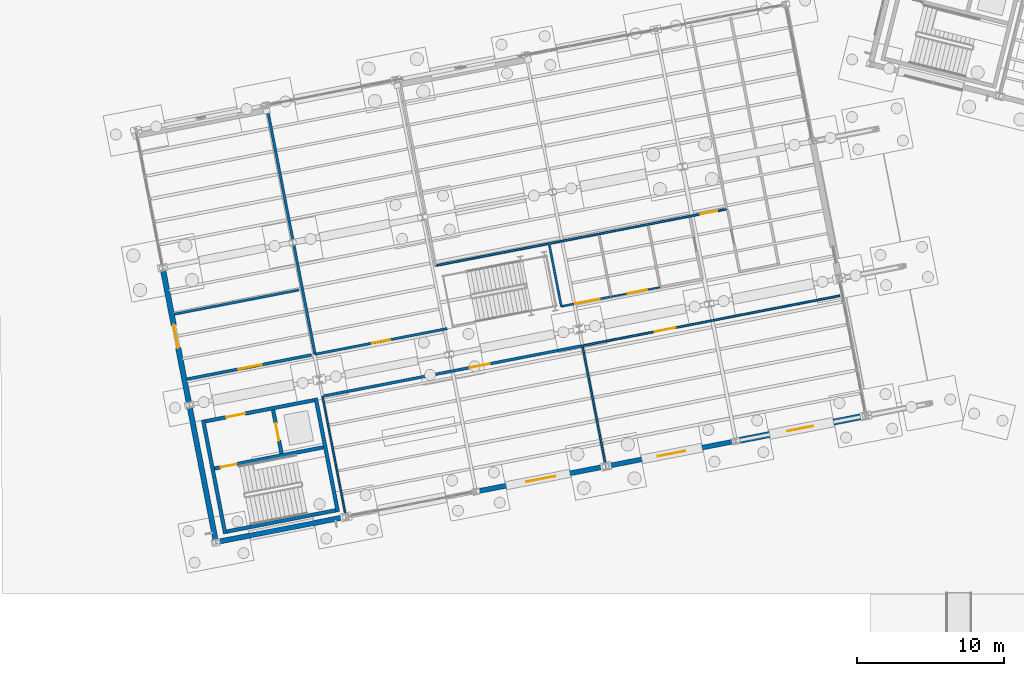
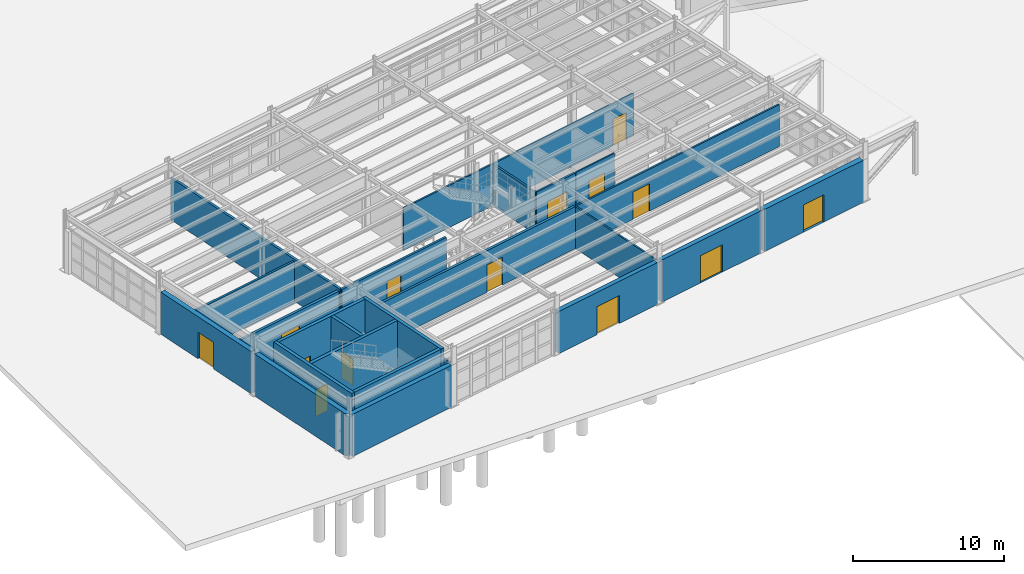
# One storey, part 84 of 108: 24 walls, 14 doors, 14 openings.
"""IFC4 building model written with IfcOpenShell, lengths in metres."""

from ifc_helpers import new_model, si_unit, direction, frame, frame_2d, origin, origin_with_axes, place, context, subcontext, project, spatial, rectangle, extrude, material, layer, layer_set, type_object, element, fill, save


model = new_model("IFC4")

# Units and contexts
model_context = context("Model", 3, precision=1e-05, world=origin(), true_north=direction((0.0, 1.0)))
body_context = subcontext(model_context, "Body", "Model", "MODEL_VIEW")
ifc_project = project(units=[si_unit("LENGTHUNIT", "METRE"), si_unit("AREAUNIT", "SQUARE_METRE"), si_unit("VOLUMEUNIT", "CUBIC_METRE"), si_unit("PLANEANGLEUNIT", "RADIAN"), si_unit("MASSUNIT", "GRAM", prefix="KILO")], contexts=[model_context])

# Site, building, storey
site_placement = place(None, origin())
site = spatial("IfcSite", under=ifc_project, at=site_placement, CompositionType="ELEMENT")
building_placement = place(site_placement, origin())
building = spatial("IfcBuilding", under=site, at=building_placement, Name="Vireo Bluff Cable Station", CompositionType="ELEMENT")
storey_placement = place(building_placement, origin())
storey = spatial("IfcBuildingStorey", under=building, at=storey_placement, Name="L00", CompositionType="ELEMENT", Elevation=0.0)

# Wall, opening, door
ifc_material_1 = material(Name="Precast concrete f'c 45 MPa", Category="concrete")
ifc_layer_1 = layer(ifc_material_1, 0.330078125, Name="Precast concrete f'c 45 MPa")
ifc_layer_set_1 = layer_set([ifc_layer_1], Name="Precast concrete f'c 45 MPa")
wall_type_1 = type_object("IfcWallType", Name="EW-PRECAST-330", PredefinedType="SOLIDWALL", material=ifc_layer_set_1)
wall_1_placement = place(storey_placement, frame((44.71044921875, 12.34423828125, 0.0), z_axis=(0.0, 0.0, 1.0), x_axis=(-0.98162594361, -0.19081537368, 0.0)))
wall_1 = element("IfcWall", 1, at=wall_1_placement, inside=storey, type_object=wall_type_1, Name="V5 L00 south exterior wall 90", PredefinedType="SOLIDWALL", context=body_context, shape_type="SweptSolid", body=[
    extrude(rectangle(XDim=8.6669921875, YDim=0.330078125, at=frame_2d((4.33349609375, 0.0))), origin(), (0.0, 0.0, 1.0), 3.39990234375),
])
opening_1_placement = place(wall_1_placement, frame((3.383544921875, 0.0, 0.0)))
opening_1 = element("IfcOpeningElement", 2, at=opening_1_placement, cuts=wall_1, Name="Opening ED-007", PredefinedType="OPENING", context=body_context, shape_type="SweptSolid", body=[
    extrude(rectangle(XDim=1.89990234375, YDim=2.199951171875, at=frame_2d((0.949951171875, 1.10009765625))), frame((0.0, 0.175048828125, 0.0), z_axis=(0.0, -1.0, 0.0), x_axis=(1.0, 0.0, 0.0)), (0.0, 0.0, 1.0), 0.35009765625),
])
ifc_material_2 = material(Name="Anodized Aluminium 6063-T6", Category="aluminium")
door_type_1 = type_object("IfcDoorType", Name="EDOOR-1900X2200", OperationType="NOTDEFINED", PredefinedType="DOOR", material=ifc_material_2)
door_1_placement = place(opening_1_placement, origin_with_axes())
door_1 = element("IfcDoor", 3, at=door_1_placement, inside=storey, type_object=door_type_1, Name="V5 L00 plaza exit door ED-007", OperationType="DOUBLE_DOOR_SINGLE_SWING", OverallHeight=2.199951171875, OverallWidth=1.89990234375, PredefinedType="DOOR", context=body_context, shape_type="SweptSolid", body=[
    extrude(rectangle(XDim=1.89990234375, YDim=2.199951171875, at=frame_2d((0.949951171875, 1.10009765625))), frame((0.0, 0.02490234375, 0.0), z_axis=(0.0, -1.0, 0.0), x_axis=(1.0, 0.0, 0.0)), (0.0, 0.0, 1.0), 0.050048828125),
])
fill(opening_1, door_1)

ifc_layer_2 = layer(ifc_material_1, 0.340087890625, Name="Precast concrete f'c 45 MPa")
ifc_layer_set_2 = layer_set([ifc_layer_2], Name="Precast concrete f'c 45 MPa")
wall_type_2 = type_object("IfcWallType", Name="EW-PRECAST-340", PredefinedType="SOLIDWALL", material=ifc_layer_set_2)
wall_2_placement = place(storey_placement, frame((35.80517578125, 10.61328125, 0.0), z_axis=(0.0, 0.0, 1.0), x_axis=(-0.981624261177, -0.190824028542, 0.0)))
wall_2 = element("IfcWall", 4, at=wall_2_placement, inside=storey, type_object=wall_type_2, Name="V5 L00 south exterior wall 91", PredefinedType="SOLIDWALL", context=body_context, shape_type="SweptSolid", body=[
    extrude(rectangle(XDim=8.592529296875, YDim=0.340087890625, at=frame_2d((4.29638671875, 0.0))), origin(), (0.0, 0.0, 1.0), 3.39990234375),
])
opening_2_placement = place(wall_2_placement, frame((3.296142578125, 0.0, 0.0)))
opening_2 = element("IfcOpeningElement", 5, at=opening_2_placement, cuts=wall_2, Name="Opening ED-008", PredefinedType="OPENING", context=body_context, shape_type="SweptSolid", body=[
    extrude(rectangle(XDim=2.0, YDim=2.25, at=frame_2d((1.0, 1.125))), frame((0.0, 0.18017578125, 0.0), z_axis=(0.0, -1.0, 0.0), x_axis=(1.0, 0.0, 0.0)), (0.0, 0.0, 1.0), 0.360107421875),
])
door_type_2 = type_object("IfcDoorType", Name="EDOOR-2000X2250", OperationType="NOTDEFINED", PredefinedType="DOOR", material=ifc_material_2)
door_2_placement = place(opening_2_placement, origin_with_axes())
door_2 = element("IfcDoor", 6, at=door_2_placement, inside=storey, type_object=door_type_2, Name="V5 L00 plaza exit door ED-008", OperationType="DOUBLE_DOOR_SINGLE_SWING", OverallHeight=2.25, OverallWidth=2.0, PredefinedType="DOOR", context=body_context, shape_type="SweptSolid", body=[
    extrude(rectangle(XDim=2.0, YDim=2.25, at=frame_2d((1.0, 1.125))), frame((0.0, 0.02490234375, 0.0), z_axis=(0.0, -1.0, 0.0), x_axis=(1.0, 0.0, 0.0)), (0.0, 0.0, 1.0), 0.050048828125),
])
fill(opening_2, door_2)

# Walls
ifc_layer_3 = layer(ifc_material_1, 0.35009765625, Name="Precast concrete f'c 45 MPa")
ifc_layer_set_3 = layer_set([ifc_layer_3], Name="Precast concrete f'c 45 MPa")
wall_type_3 = type_object("IfcWallType", Name="EW-PRECAST-350", PredefinedType="SOLIDWALL", material=ifc_layer_set_3)
wall_3_placement = place(storey_placement, frame((18.135986328125, 7.1787109375, 0.0), z_axis=(0.0, 0.0, 1.0), x_axis=(-0.981624888491, -0.190820801525, 0.0)))
element("IfcWall", 7, at=wall_3_placement, inside=storey, type_object=wall_type_3, Name="V5 L00 south exterior wall 92", PredefinedType="SOLIDWALL", context=body_context, shape_type="SweptSolid", body=[
    extrude(rectangle(XDim=8.693603515625, YDim=0.35009765625, at=frame_2d((4.3466796875, 0.0))), origin(), (0.0, 0.0, 1.0), 3.39990234375),
])
ifc_layer_4 = layer(ifc_material_1, 0.360107421875, Name="Precast concrete f'c 45 MPa")
ifc_layer_set_4 = layer_set([ifc_layer_4], Name="Precast concrete f'c 45 MPa")
wall_type_4 = type_object("IfcWallType", Name="EW-PRECAST-360", PredefinedType="SOLIDWALL", material=ifc_layer_set_4)
wall_4_placement = place(storey_placement, frame((9.47509765625, 5.628173828125, 0.0), z_axis=(0.0, 0.0, 1.0), x_axis=(-0.190802658427, 0.981628415205, 0.0)))
element("IfcWall", 8, at=wall_4_placement, inside=storey, type_object=wall_type_4, Name="V5 L00 west exterior wall 93", PredefinedType="SOLIDWALL", context=body_context, shape_type="SweptSolid", body=[
    extrude(rectangle(XDim=9.16796875, YDim=0.360107421875, at=frame_2d((4.583984375, 0.0))), origin(), (0.0, 0.0, 1.0), 3.39990234375),
])

# Wall, opening, door
ifc_layer_5 = layer(ifc_material_1, 0.3701171875, Name="Precast concrete f'c 45 MPa")
ifc_layer_set_5 = layer_set([ifc_layer_5], Name="Precast concrete f'c 45 MPa")
wall_type_5 = type_object("IfcWallType", Name="EW-PRECAST-370", PredefinedType="SOLIDWALL", material=ifc_layer_set_5)
wall_5_placement = place(storey_placement, frame((7.64892578125, 15.023193359375, 0.0), z_axis=(0.0, 0.0, 1.0), x_axis=(-0.190812855541, 0.9816264331, 0.0)))
wall_5 = element("IfcWall", 9, at=wall_5_placement, inside=storey, type_object=wall_type_5, Name="V5 L00 west exterior wall 94", PredefinedType="SOLIDWALL", context=body_context, shape_type="SweptSolid", body=[
    extrude(rectangle(XDim=9.088134765625, YDim=0.3701171875, at=frame_2d((4.5439453125, 0.0))), origin(), (0.0, 0.0, 1.0), 3.39990234375),
])
opening_3_placement = place(wall_5_placement, frame((3.743896484375, 0.0, 0.0)))
opening_3 = element("IfcOpeningElement", 10, at=opening_3_placement, cuts=wall_5, Name="Opening ED-009", PredefinedType="OPENING", context=body_context, shape_type="SweptSolid", body=[
    extrude(rectangle(XDim=1.60009765625, YDim=2.14990234375, at=frame_2d((0.800048828125, 1.074951171875))), frame((0.0, 0.195068359375, 0.0), z_axis=(0.0, -1.0, 0.0), x_axis=(1.0, 0.0, 0.0)), (0.0, 0.0, 1.0), 0.39013671875),
])
door_type_3 = type_object("IfcDoorType", Name="EDOOR-1600X2150", OperationType="NOTDEFINED", PredefinedType="DOOR", material=ifc_material_2)
door_3_placement = place(opening_3_placement, origin_with_axes())
door_3 = element("IfcDoor", 11, at=door_3_placement, inside=storey, type_object=door_type_3, Name="V5 L00 plaza exit door ED-009", OperationType="DOUBLE_DOOR_SINGLE_SWING", OverallHeight=2.14990234375, OverallWidth=1.60009765625, PredefinedType="DOOR", context=body_context, shape_type="SweptSolid", body=[
    extrude(rectangle(XDim=1.60009765625, YDim=2.14990234375, at=frame_2d((0.800048828125, 1.074951171875))), frame((0.0, 0.02490234375, 0.0), z_axis=(0.0, -1.0, 0.0), x_axis=(1.0, 0.0, 0.0)), (0.0, 0.0, 1.0), 0.050048828125),
])
fill(opening_3, door_3)

ifc_layer_6 = layer(ifc_material_1, 0.419921875, Name="Precast concrete f'c 45 MPa")
ifc_layer_set_6 = layer_set([ifc_layer_6], Name="Precast concrete f'c 45 MPa")
wall_type_6 = type_object("IfcWallType", Name="EW-PRECAST-420", PredefinedType="SOLIDWALL", material=ifc_layer_set_6)
wall_6_placement = place(storey_placement, frame((53.471923828125, 14.04736328125, 0.0), z_axis=(0.0, 0.0, 1.0), x_axis=(-0.981625213887, -0.190819127607, 0.0)))
wall_6 = element("IfcWall", 12, at=wall_6_placement, inside=storey, type_object=wall_type_6, Name="V5 L00 south exterior wall 89", PredefinedType="SOLIDWALL", context=body_context, shape_type="SweptSolid", body=[
    extrude(rectangle(XDim=8.664306640625, YDim=0.419921875, at=frame_2d((4.33203125, 0.0))), origin(), (0.0, 0.0, 1.0), 3.39990234375),
])
opening_4_placement = place(wall_6_placement, frame((3.432373046875, 0.0, 0.0)))
opening_4 = element("IfcOpeningElement", 13, at=opening_4_placement, cuts=wall_6, Name="Opening ED-006", PredefinedType="OPENING", context=body_context, shape_type="SweptSolid", body=[
    extrude(rectangle(XDim=1.800048828125, YDim=2.199951171875, at=frame_2d((0.89990234375, 1.10009765625))), frame((0.0, 0.219970703125, 0.0), z_axis=(0.0, -1.0, 0.0), x_axis=(1.0, 0.0, 0.0)), (0.0, 0.0, 1.0), 0.43994140625),
])
door_type_4 = type_object("IfcDoorType", Name="EDOOR-1800X2200", OperationType="NOTDEFINED", PredefinedType="DOOR", material=ifc_material_2)
door_4_placement = place(opening_4_placement, origin_with_axes())
door_4 = element("IfcDoor", 14, at=door_4_placement, inside=storey, type_object=door_type_4, Name="V5 L00 plaza exit door ED-006", OperationType="DOUBLE_DOOR_SINGLE_SWING", OverallHeight=2.199951171875, OverallWidth=1.800048828125, PredefinedType="DOOR", context=body_context, shape_type="SweptSolid", body=[
    extrude(rectangle(XDim=1.800048828125, YDim=2.199951171875, at=frame_2d((0.89990234375, 1.10009765625))), frame((0.0, 0.02490234375, 0.0), z_axis=(0.0, -1.0, 0.0), x_axis=(1.0, 0.0, 0.0)), (0.0, 0.0, 1.0), 0.050048828125),
])
fill(opening_4, door_4)

# Wall
ifc_material_3 = material(Name="Fire-Rated Gypsum Board Partition")
ifc_layer_7 = layer(ifc_material_3, 0.110107421875, Name="Fire-Rated Gypsum Board Partition")
ifc_layer_set_7 = layer_set([ifc_layer_7], Name="Fire-Rated Gypsum Board Partition")
wall_type_7 = type_object("IfcWallType", Name="PT-1HR-110", PredefinedType="PARTITIONING", material=ifc_layer_set_7)
wall_7_placement = place(storey_placement, frame((18.30224609375, 7.38427734375, 0.0), z_axis=(0.0, 0.0, 1.0), x_axis=(-0.190809743504, 0.981627038026, 0.0)))
element("IfcWall", 15, at=wall_7_placement, inside=storey, type_object=wall_type_7, Name="V5 L00 Ticket Hall W partition", PredefinedType="PARTITIONING", context=body_context, shape_type="SweptSolid", body=[
    extrude(rectangle(XDim=8.179931640625, YDim=0.110107421875, at=frame_2d((4.08984375, 0.0))), origin(), (0.0, 0.0, 1.0), 3.3798828125),
])

# Wall, opening, door
wall_8_placement = place(storey_placement, frame((39.697998046875, 22.83056640625, 0.0), z_axis=(0.0, 0.0, 1.0), x_axis=(-0.981616137106, -0.190865815101, 0.0)))
wall_8 = element("IfcWall", 16, at=wall_8_placement, inside=storey, type_object=wall_type_7, Name="V5 L00 Female WC L00 S partition", PredefinedType="PARTITIONING", context=body_context, shape_type="SweptSolid", body=[
    extrude(rectangle(XDim=3.39990234375, YDim=0.110107421875, at=frame_2d((1.699951171875, 0.0))), origin(), (0.0, 0.0, 1.0), 3.3798828125),
])
opening_5_placement = place(wall_8_placement, frame((0.886962890625, 0.0, 0.0)))
opening_5 = element("IfcOpeningElement", 17, at=opening_5_placement, cuts=wall_8, Name="Opening D-0107", PredefinedType="OPENING", context=body_context, shape_type="SweptSolid", body=[
    extrude(rectangle(XDim=1.35009765625, YDim=2.199951171875, at=frame_2d((0.675048828125, 1.10009765625))), frame((0.0, 0.06494140625, 0.0), z_axis=(0.0, -1.0, 0.0), x_axis=(1.0, 0.0, 0.0)), (0.0, 0.0, 1.0), 0.130126953125),
])
door_type_5 = type_object("IfcDoorType", Name="IDOOR60-1350X2200", OperationType="NOTDEFINED", PredefinedType="DOOR", material=ifc_material_2)
door_5_placement = place(opening_5_placement, origin_with_axes())
door_5 = element("IfcDoor", 18, at=door_5_placement, inside=storey, type_object=door_type_5, Name="V5 L00 Female WC L00 door D-0107", OperationType="SINGLE_SWING_RIGHT", OverallHeight=2.199951171875, OverallWidth=1.35009765625, PredefinedType="DOOR", context=body_context, shape_type="SweptSolid", body=[
    extrude(rectangle(XDim=1.35009765625, YDim=2.199951171875, at=frame_2d((0.675048828125, 1.10009765625))), frame((0.0, 0.02490234375, 0.0), z_axis=(0.0, -1.0, 0.0), x_axis=(1.0, 0.0, 0.0)), (0.0, 0.0, 1.0), 0.050048828125),
])
fill(opening_5, door_5)

# Wall
ifc_layer_8 = layer(ifc_material_3, 0.1201171875, Name="Fire-Rated Gypsum Board Partition")
ifc_layer_set_8 = layer_set([ifc_layer_8], Name="Fire-Rated Gypsum Board Partition")
wall_type_8 = type_object("IfcWallType", Name="PT-1HR-120", PredefinedType="PARTITIONING", material=ifc_layer_set_8)
wall_9_placement = place(storey_placement, frame((34.41064453125, 18.848388671875, 0.0), z_axis=(0.0, 0.0, 1.0), x_axis=(0.190804153264, -0.981628124647, 0.0)))
element("IfcWall", 19, at=wall_9_placement, inside=storey, type_object=wall_type_8, Name="V5 L00 Ticket Hall E partition", PredefinedType="PARTITIONING", context=body_context, shape_type="SweptSolid", body=[
    extrude(rectangle(XDim=8.18017578125, YDim=0.1201171875, at=frame_2d((4.090087890625, 0.0))), origin(), (0.0, 0.0, 1.0), 3.3798828125),
])

# Wall, opening, door
ifc_layer_9 = layer(ifc_material_3, 0.1298828125, Name="Fire-Rated Gypsum Board Partition")
ifc_layer_set_9 = layer_set([ifc_layer_9], Name="Fire-Rated Gypsum Board Partition")
wall_type_9 = type_object("IfcWallType", Name="PT-1HR-130", PredefinedType="PARTITIONING", material=ifc_layer_set_9)
wall_10_placement = place(storey_placement, frame((44.2177734375, 28.140380859375, 0.0), z_axis=(0.0, 0.0, 1.0), x_axis=(-0.981627873079, -0.190805447496, 0.0)))
wall_10 = element("IfcWall", 20, at=wall_10_placement, inside=storey, type_object=wall_type_9, Name="V5 L00 Ticket Operations Office S partition", PredefinedType="PARTITIONING", context=body_context, shape_type="SweptSolid", body=[
    extrude(rectangle(XDim=20.14990234375, YDim=0.1298828125, at=frame_2d((10.074951171875, 0.0))), origin(), (0.0, 0.0, 1.0), 3.3798828125),
])
opening_6_placement = place(wall_10_placement, frame((0.658935546875, 0.0, 0.0)))
opening_6 = element("IfcOpeningElement", 21, at=opening_6_placement, cuts=wall_10, Name="Opening D-0101", PredefinedType="OPENING", context=body_context, shape_type="SweptSolid", body=[
    extrude(rectangle(XDim=1.14990234375, YDim=2.14990234375, at=frame_2d((0.574951171875, 1.074951171875))), frame((0.0, 0.074951171875, 0.0), z_axis=(0.0, -1.0, 0.0), x_axis=(1.0, 0.0, 0.0)), (0.0, 0.0, 1.0), 0.14990234375),
])
door_type_6 = type_object("IfcDoorType", Name="IDOOR60-1150X2150", OperationType="NOTDEFINED", PredefinedType="DOOR", material=ifc_material_2)
door_6_placement = place(opening_6_placement, origin_with_axes())
door_6 = element("IfcDoor", 22, at=door_6_placement, inside=storey, type_object=door_type_6, Name="V5 L00 Ticket Operations Office door D-0101", OperationType="SINGLE_SWING_RIGHT", OverallHeight=2.14990234375, OverallWidth=1.14990234375, PredefinedType="DOOR", context=body_context, shape_type="SweptSolid", body=[
    extrude(rectangle(XDim=1.14990234375, YDim=2.14990234375, at=frame_2d((0.574951171875, 1.074951171875))), frame((0.0, 0.02490234375, 0.0), z_axis=(0.0, -1.0, 0.0), x_axis=(1.0, 0.0, 0.0)), (0.0, 0.0, 1.0), 0.050048828125),
])
fill(opening_6, door_6)

wall_11_placement = place(storey_placement, frame((34.459716796875, 18.85791015625, 0.0), z_axis=(0.0, 0.0, 1.0), x_axis=(0.981627322124, 0.190808281949, 0.0)))
wall_11 = element("IfcWall", 23, at=wall_11_placement, inside=storey, type_object=wall_type_9, Name="V5 L00 Arrival Concourse N partition", PredefinedType="PARTITIONING", context=body_context, shape_type="SweptSolid", body=[
    extrude(rectangle(XDim=17.780029296875, YDim=0.1298828125, at=frame_2d((8.89013671875, 0.0))), origin(), (0.0, 0.0, 1.0), 3.3798828125),
])
opening_7_placement = place(wall_11_placement, frame((4.975830078125, 0.0, 0.0)))
opening_7 = element("IfcOpeningElement", 24, at=opening_7_placement, cuts=wall_11, Name="Opening D-0104", PredefinedType="OPENING", context=body_context, shape_type="SweptSolid", body=[
    extrude(rectangle(XDim=1.43994140625, YDim=2.219970703125, at=frame_2d((0.719970703125, 1.10986328125))), frame((0.0, 0.074951171875, 0.0), z_axis=(0.0, -1.0, 0.0), x_axis=(1.0, 0.0, 0.0)), (0.0, 0.0, 1.0), 0.14990234375),
])
door_type_7 = type_object("IfcDoorType", Name="IDOOR60-1440X2220", OperationType="NOTDEFINED", PredefinedType="DOOR", material=ifc_material_2)
door_7_placement = place(opening_7_placement, origin_with_axes())
door_7 = element("IfcDoor", 25, at=door_7_placement, inside=storey, type_object=door_type_7, Name="V5 L00 Arrival Concourse door D-0104", OperationType="SINGLE_SWING_LEFT", OverallHeight=2.219970703125, OverallWidth=1.43994140625, PredefinedType="DOOR", context=body_context, shape_type="SweptSolid", body=[
    extrude(rectangle(XDim=1.43994140625, YDim=2.219970703125, at=frame_2d((0.719970703125, 1.10986328125))), frame((0.0, 0.02490234375, 0.0), z_axis=(0.0, -1.0, 0.0), x_axis=(1.0, 0.0, 0.0)), (0.0, 0.0, 1.0), 0.050048828125),
])
fill(opening_7, door_7)

ifc_layer_10 = layer(ifc_material_3, 0.139892578125, Name="Fire-Rated Gypsum Board Partition")
ifc_layer_set_10 = layer_set([ifc_layer_10], Name="Fire-Rated Gypsum Board Partition")
wall_type_10 = type_object("IfcWallType", Name="PT-1HR-140", PredefinedType="PARTITIONING", material=ifc_layer_set_10)
wall_12_placement = place(storey_placement, frame((36.311279296875, 22.172119140625, 0.0), z_axis=(0.0, 0.0, 1.0), x_axis=(-0.981629588591, -0.190796621572, 0.0)))
wall_12 = element("IfcWall", 26, at=wall_12_placement, inside=storey, type_object=wall_type_10, Name="V5 L00 Male WC L00 S partition", PredefinedType="PARTITIONING", context=body_context, shape_type="SweptSolid", body=[
    extrude(rectangle(XDim=3.39990234375, YDim=0.139892578125, at=frame_2d((1.699951171875, 0.0))), origin(), (0.0, 0.0, 1.0), 3.3798828125),
])
opening_8_placement = place(wall_12_placement, frame((0.75390625, 0.0, 0.0)))
opening_8 = element("IfcOpeningElement", 27, at=opening_8_placement, cuts=wall_12, Name="Opening D-0108", PredefinedType="OPENING", context=body_context, shape_type="SweptSolid", body=[
    extrude(rectangle(XDim=1.699951171875, YDim=2.199951171875, at=frame_2d((0.85009765625, 1.10009765625))), frame((0.0, 0.080078125, 0.0), z_axis=(0.0, -1.0, 0.0), x_axis=(1.0, 0.0, 0.0)), (0.0, 0.0, 1.0), 0.159912109375),
])
door_type_8 = type_object("IfcDoorType", Name="IDOOR60-1700X2200", OperationType="NOTDEFINED", PredefinedType="DOOR", material=ifc_material_2)
door_8_placement = place(opening_8_placement, origin_with_axes())
door_8 = element("IfcDoor", 28, at=door_8_placement, inside=storey, type_object=door_type_8, Name="V5 L00 Male WC L00 door D-0108", OperationType="DOUBLE_DOOR_SINGLE_SWING", OverallHeight=2.199951171875, OverallWidth=1.699951171875, PredefinedType="DOOR", context=body_context, shape_type="SweptSolid", body=[
    extrude(rectangle(XDim=1.699951171875, YDim=2.199951171875, at=frame_2d((0.85009765625, 1.10009765625))), frame((0.0, 0.02490234375, 0.0), z_axis=(0.0, -1.0, 0.0), x_axis=(1.0, 0.0, 0.0)), (0.0, 0.0, 1.0), 0.050048828125),
])
fill(opening_8, door_8)

# Wall
ifc_layer_11 = layer(ifc_material_3, 0.14990234375, Name="Fire-Rated Gypsum Board Partition")
ifc_layer_set_11 = layer_set([ifc_layer_11], Name="Fire-Rated Gypsum Board Partition")
wall_type_11 = type_object("IfcWallType", Name="PT-1HR-150", PredefinedType="PARTITIONING", material=ifc_layer_set_11)
wall_13_placement = place(storey_placement, frame((32.973876953125, 21.5234375, 0.0), z_axis=(0.0, 0.0, 1.0), x_axis=(-0.190832757405, 0.981622564279, 0.0)))
element("IfcWall", 29, at=wall_13_placement, inside=storey, type_object=wall_type_11, Name="V5 L00 Male WC L00 W partition", PredefinedType="PARTITIONING", context=body_context, shape_type="SweptSolid", body=[
    extrude(rectangle(XDim=4.25, YDim=0.14990234375, at=frame_2d((2.125, 0.0))), origin(), (0.0, 0.0, 1.0), 3.3798828125),
])

# Wall, opening, door
ifc_layer_12 = layer(ifc_material_3, 0.1650390625, Name="Fire-Rated Gypsum Board Partition")
ifc_layer_set_12 = layer_set([ifc_layer_12], Name="Fire-Rated Gypsum Board Partition")
wall_type_12 = type_object("IfcWallType", Name="PT-1HR-165", PredefinedType="PARTITIONING", material=ifc_layer_set_12)
wall_14_placement = place(storey_placement, frame((25.218994140625, 20.01611328125, 0.0), z_axis=(0.0, 0.0, 1.0), x_axis=(-0.981623442929, -0.190828237669, 0.0)))
wall_14 = element("IfcWall", 30, at=wall_14_placement, inside=storey, type_object=wall_type_12, Name="V5 L00 Visitor Gallery S partition", PredefinedType="PARTITIONING", context=body_context, shape_type="SweptSolid", body=[
    extrude(rectangle(XDim=9.150146484375, YDim=0.1650390625, at=frame_2d((4.5751953125, 0.0))), origin(), (0.0, 0.0, 1.0), 3.3798828125),
])
opening_9_placement = place(wall_14_placement, frame((3.965087890625, 0.0, 0.0)))
opening_9 = element("IfcOpeningElement", 31, at=opening_9_placement, cuts=wall_14, Name="Opening D-0102", PredefinedType="OPENING", context=body_context, shape_type="SweptSolid", body=[
    extrude(rectangle(XDim=1.219970703125, YDim=2.199951171875, at=frame_2d((0.60986328125, 1.10009765625))), frame((0.0, 0.092529296875, 0.0), z_axis=(0.0, -1.0, 0.0), x_axis=(1.0, 0.0, 0.0)), (0.0, 0.0, 1.0), 0.18505859375),
])
door_type_9 = type_object("IfcDoorType", Name="IDOOR60-1220X2200", OperationType="NOTDEFINED", PredefinedType="DOOR", material=ifc_material_2)
door_9_placement = place(opening_9_placement, origin_with_axes())
door_9 = element("IfcDoor", 32, at=door_9_placement, inside=storey, type_object=door_type_9, Name="V5 L00 Visitor Gallery door D-0102", OperationType="SINGLE_SWING_LEFT", OverallHeight=2.199951171875, OverallWidth=1.219970703125, PredefinedType="DOOR", context=body_context, shape_type="SweptSolid", body=[
    extrude(rectangle(XDim=1.219970703125, YDim=2.199951171875, at=frame_2d((0.60986328125, 1.10009765625))), frame((0.0, 0.02490234375, 0.0), z_axis=(0.0, -1.0, 0.0), x_axis=(1.0, 0.0, 0.0)), (0.0, 0.0, 1.0), 0.050048828125),
])
fill(opening_9, door_9)

# Wall
ifc_layer_13 = layer(ifc_material_3, 0.175048828125, Name="Fire-Rated Gypsum Board Partition")
ifc_layer_set_13 = layer_set([ifc_layer_13], Name="Fire-Rated Gypsum Board Partition")
wall_type_13 = type_object("IfcWallType", Name="PT-1HR-175", PredefinedType="PARTITIONING", material=ifc_layer_set_13)
wall_15_placement = place(storey_placement, frame((16.237060546875, 18.27001953125, 0.0), z_axis=(0.0, 0.0, 1.0), x_axis=(-0.190808062504, 0.981627364779, 0.0)))
element("IfcWall", 33, at=wall_15_placement, inside=storey, type_object=wall_type_13, Name="V5 L00 Visitor Gallery W partition", PredefinedType="PARTITIONING", context=body_context, shape_type="SweptSolid", body=[
    extrude(rectangle(XDim=17.080078125, YDim=0.175048828125, at=frame_2d((8.5400390625, 0.0))), origin(), (0.0, 0.0, 1.0), 3.3798828125),
])

# Wall, opening, door
ifc_layer_14 = layer(ifc_material_3, 0.18994140625, Name="Fire-Rated Gypsum Board Partition")
ifc_layer_set_14 = layer_set([ifc_layer_14], Name="Fire-Rated Gypsum Board Partition")
wall_type_14 = type_object("IfcWallType", Name="PT-1HR-190", PredefinedType="PARTITIONING", material=ifc_layer_set_14)
wall_16_placement = place(storey_placement, frame((16.741455078125, 15.413818359375, 0.0), z_axis=(0.0, 0.0, 1.0), x_axis=(0.98162689412, 0.190810483833, 0.0)))
wall_16 = element("IfcWall", 34, at=wall_16_placement, inside=storey, type_object=wall_type_14, Name="V5 L00 Ticket Hall N partition", PredefinedType="PARTITIONING", context=body_context, shape_type="SweptSolid", body=[
    extrude(rectangle(XDim=18.0, YDim=0.18994140625, at=frame_2d((9.0, 0.0))), origin(), (0.0, 0.0, 1.0), 3.3798828125),
])
opening_10_placement = place(wall_16_placement, frame((10.1962890625, 0.0, 0.0)))
opening_10 = element("IfcOpeningElement", 35, at=opening_10_placement, cuts=wall_16, Name="Opening D-0103", PredefinedType="OPENING", context=body_context, shape_type="SweptSolid", body=[
    extrude(rectangle(XDim=1.3798828125, YDim=2.219970703125, at=frame_2d((0.68994140625, 1.10986328125))), frame((0.0, 0.10498046875, 0.0), z_axis=(0.0, -1.0, 0.0), x_axis=(1.0, 0.0, 0.0)), (0.0, 0.0, 1.0), 0.2099609375),
])
door_type_10 = type_object("IfcDoorType", Name="IDOOR60-1380X2220", OperationType="NOTDEFINED", PredefinedType="DOOR", material=ifc_material_2)
door_10_placement = place(opening_10_placement, origin_with_axes())
door_10 = element("IfcDoor", 36, at=door_10_placement, inside=storey, type_object=door_type_10, Name="V5 L00 Ticket Hall door D-0103", OperationType="SINGLE_SWING_RIGHT", OverallHeight=2.219970703125, OverallWidth=1.3798828125, PredefinedType="DOOR", context=body_context, shape_type="SweptSolid", body=[
    extrude(rectangle(XDim=1.3798828125, YDim=2.219970703125, at=frame_2d((0.68994140625, 1.10986328125))), frame((0.0, 0.02490234375, 0.0), z_axis=(0.0, -1.0, 0.0), x_axis=(1.0, 0.0, 0.0)), (0.0, 0.0, 1.0), 0.050048828125),
])
fill(opening_10, door_10)

# Wall
ifc_layer_15 = layer(ifc_material_3, 0.159912109375, Name="Fire-Rated Gypsum Board Partition")
ifc_layer_set_15 = layer_set([ifc_layer_15], Name="Fire-Rated Gypsum Board Partition")
wall_type_15 = type_object("IfcWallType", Name="PT-2HR-160", PredefinedType="PARTITIONING", material=ifc_layer_set_15)
wall_17_placement = place(storey_placement, frame((6.66162109375, 20.9931640625, 0.0), z_axis=(0.0, 0.0, 1.0), x_axis=(0.981631434673, 0.190787123417, 0.0)))
element("IfcWall", 37, at=wall_17_placement, inside=storey, type_object=wall_type_15, Name="V5 L00 Fire Command Center N partition", PredefinedType="PARTITIONING", context=body_context, shape_type="SweptSolid", body=[
    extrude(rectangle(XDim=8.6298828125, YDim=0.159912109375, at=frame_2d((4.31494140625, 0.0))), origin(), (0.0, 0.0, 1.0), 3.3798828125),
])

# Wall, opening, door
ifc_layer_16 = layer(ifc_material_3, 0.199951171875, Name="Fire-Rated Gypsum Board Partition")
ifc_layer_set_16 = layer_set([ifc_layer_16], Name="Fire-Rated Gypsum Board Partition")
wall_type_16 = type_object("IfcWallType", Name="PT-2HR-200", PredefinedType="PARTITIONING", material=ifc_layer_set_16)
wall_18_placement = place(storey_placement, frame((15.99169921875, 18.222412109375, 0.0), z_axis=(0.0, 0.0, 1.0), x_axis=(-0.981626136115, -0.190814383357, 0.0)))
wall_18 = element("IfcWall", 38, at=wall_18_placement, inside=storey, type_object=wall_type_16, Name="V5 L00 Fire Command Center S partition", PredefinedType="PARTITIONING", context=body_context, shape_type="SweptSolid", body=[
    extrude(rectangle(XDim=8.6298828125, YDim=0.199951171875, at=frame_2d((4.31494140625, 0.0))), origin(), (0.0, 0.0, 1.0), 3.3798828125),
])
opening_11_placement = place(wall_18_placement, frame((3.449951171875, 0.0, 0.0)))
opening_11 = element("IfcOpeningElement", 39, at=opening_11_placement, cuts=wall_18, Name="Opening D-0106", PredefinedType="OPENING", context=body_context, shape_type="SweptSolid", body=[
    extrude(rectangle(XDim=1.60009765625, YDim=2.199951171875, at=frame_2d((0.800048828125, 1.10009765625))), frame((0.0, 0.10986328125, 0.0), z_axis=(0.0, -1.0, 0.0), x_axis=(1.0, 0.0, 0.0)), (0.0, 0.0, 1.0), 0.219970703125),
])
ifc_material_4 = material(Name="Stainless Steel 316", Category="steel")
door_type_11 = type_object("IfcDoorType", Name="IDOOR90-1600X2200", OperationType="NOTDEFINED", PredefinedType="DOOR", material=ifc_material_4)
door_11_placement = place(opening_11_placement, origin_with_axes())
door_11 = element("IfcDoor", 40, at=door_11_placement, inside=storey, type_object=door_type_11, Name="V5 L00 Fire Command Center door D-0106", OperationType="DOUBLE_DOOR_SINGLE_SWING", OverallHeight=2.199951171875, OverallWidth=1.60009765625, PredefinedType="DOOR", context=body_context, shape_type="SweptSolid", body=[
    extrude(rectangle(XDim=1.60009765625, YDim=2.199951171875, at=frame_2d((0.800048828125, 1.10009765625))), frame((0.0, 0.02490234375, 0.0), z_axis=(0.0, -1.0, 0.0), x_axis=(1.0, 0.0, 0.0)), (0.0, 0.0, 1.0), 0.050048828125),
])
fill(opening_11, door_11)

# Walls
ifc_material_5 = material(Name="Concrete f'c 40 MPa", Category="concrete")
ifc_layer_17 = layer(ifc_material_5, 0.25, Name="Concrete f'c 40 MPa")
ifc_layer_set_17 = layer_set([ifc_layer_17], Name="Concrete f'c 40 MPa")
wall_type_17 = type_object("IfcWallType", Name="SW-CORE-250", PredefinedType="SHEAR", material=ifc_layer_set_17)
for number, where, z_axis, x_axis, name in (
    (41, (10.127685546875, 6.0703125, 0.0), (0.0, 0.0, 1.0), (-0.190795899131, 0.981629729009, 0.0), "CORE-5 L00 core W shear wall"),
    (42, (17.784423828125, 7.55859375, 0.0), (0.0, 0.0, 1.0), (-0.190825735014, 0.981623929444, 0.0), "CORE-5 L00 core E shear wall"),
):
    element("IfcWall", number, at=place(storey_placement, frame(where, z_axis=z_axis, x_axis=x_axis)), inside=storey, type_object=wall_type_17, Name=name, PredefinedType="SHEAR", context=body_context, shape_type="SweptSolid", body=[
        extrude(rectangle(XDim=7.884765625, YDim=0.25, at=frame_2d((3.9423828125, 0.0))), origin(), (0.0, 0.0, 1.0), 4.5400390625),
    ])
wall_19_placement = place(storey_placement, frame((10.2265625, 6.216796875, 0.0), z_axis=(0.0, 0.0, 1.0), x_axis=(0.981625990538, 0.190815132265, 0.0)))
element("IfcWall", 43, at=wall_19_placement, inside=storey, type_object=wall_type_17, Name="CORE-5 L00 stair shaft south shear wall", PredefinedType="SHEAR", context=body_context, shape_type="SweptSolid", body=[
    extrude(rectangle(XDim=7.550048828125, YDim=0.25, at=frame_2d((3.77490234375, 0.0))), origin(), (0.0, 0.0, 1.0), 4.5400390625),
])

# Wall, opening, door
wall_20_placement = place(storey_placement, frame((9.392822265625, 10.506591796875, 0.0), z_axis=(0.0, 0.0, 1.0), x_axis=(0.981630869871, 0.190790029393, 0.0)))
wall_20 = element("IfcWall", 44, at=wall_20_placement, inside=storey, type_object=wall_type_17, Name="CORE-5 L00 stair shaft north shear wall", PredefinedType="SHEAR", context=body_context, shape_type="SweptSolid", body=[
    extrude(rectangle(XDim=7.5498046875, YDim=0.25, at=frame_2d((3.77490234375, 0.0))), origin(), (0.0, 0.0, 1.0), 4.5400390625),
])
opening_12_placement = place(wall_20_placement, frame((0.449951171875, 0.0, 0.0)))
opening_12 = element("IfcOpeningElement", 45, at=opening_12_placement, cuts=wall_20, Name="Opening SD-033", PredefinedType="OPENING", context=body_context, shape_type="SweptSolid", body=[
    extrude(rectangle(XDim=1.10009765625, YDim=2.14990234375, at=frame_2d((0.550048828125, 1.074951171875))), frame((0.0, 0.135009765625, 0.0), z_axis=(0.0, -1.0, 0.0), x_axis=(1.0, 0.0, 0.0)), (0.0, 0.0, 1.0), 0.27001953125),
])
door_type_12 = type_object("IfcDoorType", Name="IDOOR90-1100X2150", OperationType="NOTDEFINED", PredefinedType="DOOR", material=ifc_material_4)
door_12_placement = place(opening_12_placement, origin_with_axes())
door_12 = element("IfcDoor", 46, at=door_12_placement, inside=storey, type_object=door_type_12, Name="CORE-5 L00 stair fire door SD-033", OperationType="SINGLE_SWING_RIGHT", OverallHeight=2.14990234375, OverallWidth=1.10009765625, PredefinedType="DOOR", context=body_context, shape_type="SweptSolid", body=[
    extrude(rectangle(XDim=1.10009765625, YDim=2.14990234375, at=frame_2d((0.550048828125, 1.074951171875))), frame((0.0, 0.02490234375, 0.0), z_axis=(0.0, -1.0, 0.0), x_axis=(1.0, 0.0, 0.0)), (0.0, 0.0, 1.0), 0.050048828125),
])
fill(opening_12, door_12)

wall_21_placement = place(storey_placement, frame((8.769775390625, 13.71142578125, 0.0), z_axis=(0.0, 0.0, 1.0), x_axis=(0.981625990538, 0.190815132265, 0.0)))
wall_21 = element("IfcWall", 47, at=wall_21_placement, inside=storey, type_object=wall_type_17, Name="CORE-5 L00 core north shear wall", PredefinedType="SHEAR", context=body_context, shape_type="SweptSolid", body=[
    extrude(rectangle(XDim=7.550048828125, YDim=0.25, at=frame_2d((3.77490234375, 0.0))), origin(), (0.0, 0.0, 1.0), 4.5400390625),
])
opening_13_placement = place(wall_21_placement, frame((1.449951171875, 0.0, 0.0)))
opening_13 = element("IfcOpeningElement", 48, at=opening_13_placement, cuts=wall_21, Name="Opening FD-034", PredefinedType="OPENING", context=body_context, shape_type="SweptSolid", body=[
    extrude(rectangle(XDim=1.300048828125, YDim=2.14990234375, at=frame_2d((0.64990234375, 1.074951171875))), frame((0.0, 0.135009765625, 0.0), z_axis=(0.0, -1.0, 0.0), x_axis=(1.0, 0.0, 0.0)), (0.0, 0.0, 1.0), 0.27001953125),
])
door_type_13 = type_object("IfcDoorType", Name="IDOOR90-1300X2150", OperationType="NOTDEFINED", PredefinedType="DOOR", material=ifc_material_4)
door_13_placement = place(opening_13_placement, origin_with_axes())
door_13 = element("IfcDoor", 49, at=door_13_placement, inside=storey, type_object=door_type_13, Name="CORE-5 L00 firefighting lobby door FD-034", OperationType="SINGLE_SWING_LEFT", OverallHeight=2.14990234375, OverallWidth=1.300048828125, PredefinedType="DOOR", context=body_context, shape_type="SweptSolid", body=[
    extrude(rectangle(XDim=1.300048828125, YDim=2.14990234375, at=frame_2d((0.64990234375, 1.074951171875))), frame((0.0, 0.02490234375, 0.0), z_axis=(0.0, -1.0, 0.0), x_axis=(1.0, 0.0, 0.0)), (0.0, 0.0, 1.0), 0.050048828125),
])
fill(opening_13, door_13)

wall_22_placement = place(storey_placement, frame((13.9580078125, 11.521240234375, 0.0), z_axis=(0.0, 0.0, 1.0), x_axis=(-0.190772129474, 0.981634348735, 0.0)))
wall_22 = element("IfcWall", 50, at=wall_22_placement, inside=storey, type_object=wall_type_17, Name="CORE-5 L00 lift shaft front wall", PredefinedType="SHEAR", context=body_context, shape_type="SweptSolid", body=[
    extrude(rectangle(XDim=3.01513671875, YDim=0.25, at=frame_2d((1.507568359375, 0.0))), origin(), (0.0, 0.0, 1.0), 4.5400390625),
])
opening_14_placement = place(wall_22_placement, frame((0.907470703125, 0.0, 0.0)))
opening_14 = element("IfcOpeningElement", 51, at=opening_14_placement, cuts=wall_22, Name="Opening LD-017", PredefinedType="OPENING", context=body_context, shape_type="SweptSolid", body=[
    extrude(rectangle(XDim=1.199951171875, YDim=2.14990234375, at=frame_2d((0.60009765625, 1.074951171875))), frame((0.0, 0.135009765625, 0.0), z_axis=(0.0, -1.0, 0.0), x_axis=(1.0, 0.0, 0.0)), (0.0, 0.0, 1.0), 0.27001953125),
])
door_type_14 = type_object("IfcDoorType", Name="LIFTDOOR-1200X2150", OperationType="DOUBLE_DOOR_SLIDING", PredefinedType="DOOR", material=ifc_material_4)
door_14_placement = place(opening_14_placement, origin_with_axes())
door_14 = element("IfcDoor", 52, at=door_14_placement, inside=storey, type_object=door_type_14, Name="CORE-5 L00 lift sliding landing door LD-017", OperationType="DOUBLE_DOOR_SLIDING", OverallHeight=2.14990234375, OverallWidth=1.199951171875, PredefinedType="DOOR", context=body_context, shape_type="SweptSolid", body=[
    extrude(rectangle(XDim=1.199951171875, YDim=2.14990234375, at=frame_2d((0.60009765625, 1.074951171875))), frame((0.0, 0.02490234375, 0.0), z_axis=(0.0, -1.0, 0.0), x_axis=(1.0, 0.0, 0.0)), (0.0, 0.0, 1.0), 0.050048828125),
])
fill(opening_14, door_14)

save(model, "model.ifc")
